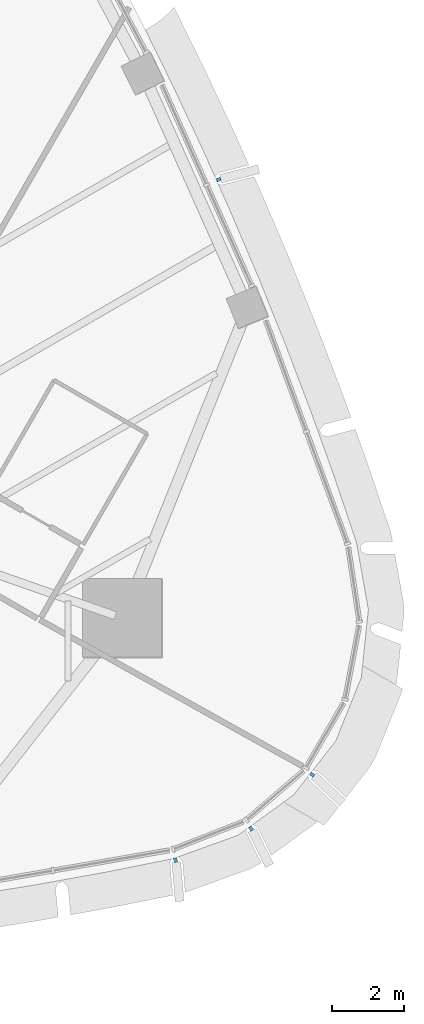
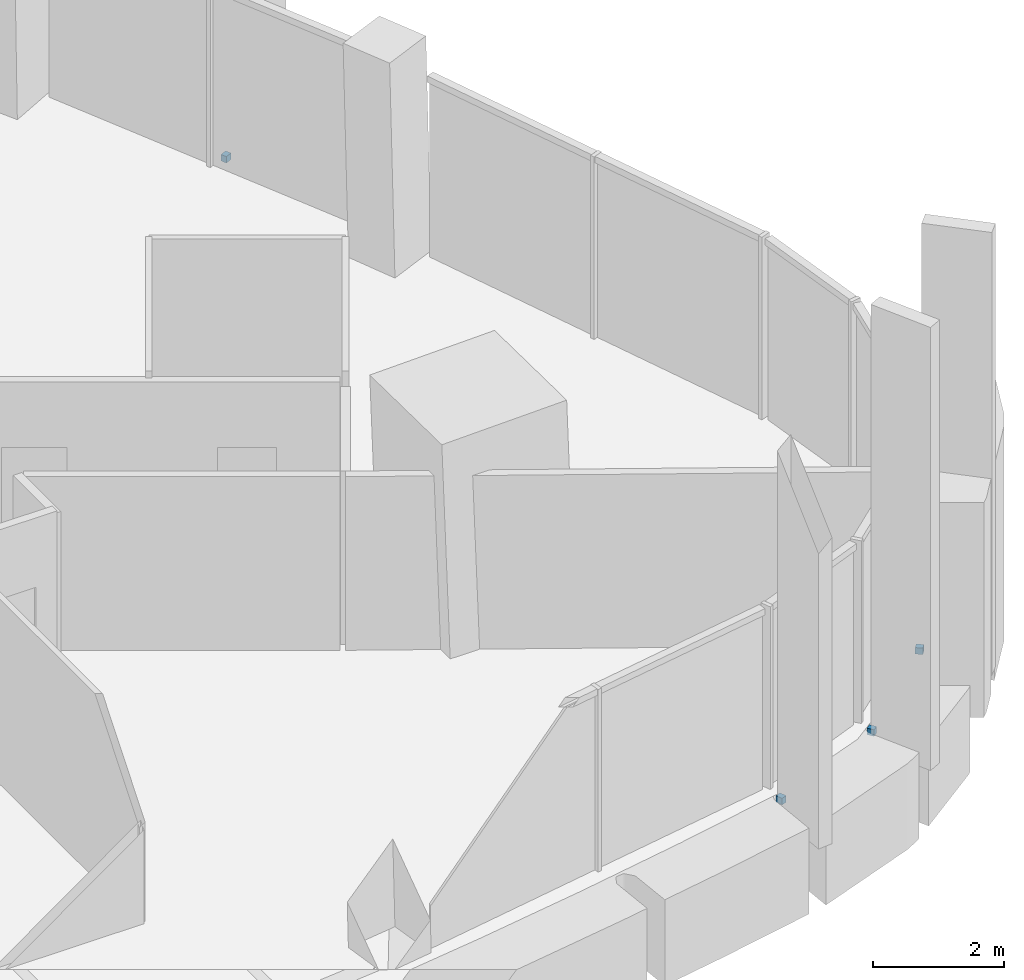
# One storey, part 14 of 19: 4 discrete accessories.
"""IFC4 building model written with IfcOpenShell, lengths in metres."""

from ifc_helpers import new_model, si_unit, direction, frame, origin, origin_2d, place, context, subcontext, project, spatial, rectangle, extrude, material, type_object, element, save


model = new_model("IFC4")

# Units and contexts
model_context = context("Model", 3, precision=1e-05, world=origin(), true_north=direction((0.0, 1.0)))
body_context = subcontext(model_context, "Body", "Model", "MODEL_VIEW")
ifc_project = project(units=[si_unit("LENGTHUNIT", "METRE"), si_unit("AREAUNIT", "SQUARE_METRE"), si_unit("VOLUMEUNIT", "CUBIC_METRE"), si_unit("PLANEANGLEUNIT", "RADIAN"), si_unit("MASSUNIT", "GRAM", prefix="KILO")], contexts=[model_context])

# Site, building, storey
site_placement = place(None, origin())
site = spatial("IfcSite", under=ifc_project, at=site_placement, CompositionType="ELEMENT")
building_placement = place(site_placement, origin())
building = spatial("IfcBuilding", under=site, at=building_placement, Name="Sierra Prisma Convention Tower", CompositionType="ELEMENT")
storey_placement = place(building_placement, frame((0.0, 0.0, 311.0)))
storey = spatial("IfcBuildingStorey", under=building, at=storey_placement, Name="L71", CompositionType="ELEMENT", Elevation=311.0)

# Discrete accessories
ifc_material = material(Name="Stainless steel 316", Category="steel")
discrete_accessory_type = type_object("IfcDiscreteAccessoryType", Name="Fin bracket", PredefinedType="BRACKET", material=ifc_material)
for number, where, z_axis, x_axis, name in (
    (1, (21.53076171875, -18.341064453125, -0.135009765625), (0.0, 0.0, 1.0), (0.340192319919, -0.940355882349, 0.0), "Fin bracket L71.18 base"),
    (2, (23.638427734375, -17.457763671875, -0.135009765625), (0.0, 0.0, 1.0), (0.586841000416, -0.80970219231, 0.0), "Fin bracket L71.19 base"),
    (3, (25.349609375, -15.951171875, -0.135009765625), (0.0, 0.0, 1.0), (0.787771270398, -0.615967877032, 0.0), "Fin bracket L71.20 base"),
    (4, (22.733642578125, 0.6767578125, -0.135009765625), (0.0, 0.0, 1.0), (0.913070310497, 0.407802167832, 0.0), "Fin bracket L71.27 base"),
):
    element("IfcDiscreteAccessory", number, at=place(storey_placement, frame(where, z_axis=z_axis, x_axis=x_axis)), inside=storey, type_object=discrete_accessory_type, Name=name, PredefinedType="BRACKET", context=body_context, shape_type="SweptSolid", body=[
        extrude(rectangle(XDim=0.1201171875, YDim=0.10009765625, at=origin_2d()), origin(), (0.0, 0.0, 1.0), 0.1201171875),
    ])

save(model, "model.ifc")
